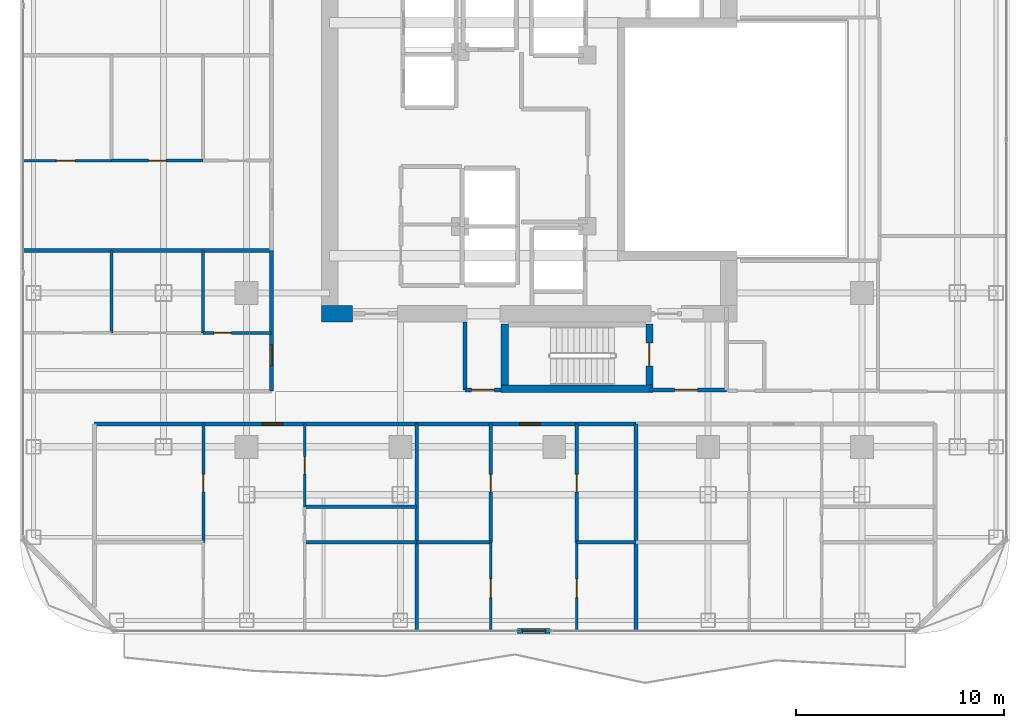
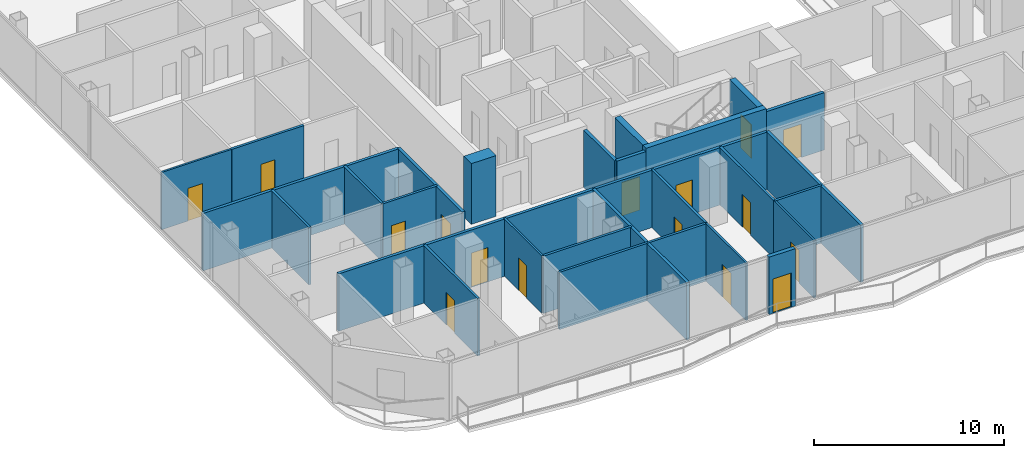
# One storey, part 19 of 26: 29 walls, 16 doors, 16 openings.
"""IFC4 building model written with IfcOpenShell, lengths in metres."""

from ifc_helpers import new_model, si_unit, direction, frame, frame_2d, origin, place, context, subcontext, project, spatial, rectangle, extrude, material, layer, layer_set, type_object, element, fill, save


model = new_model("IFC4")

# Units and contexts
model_context = context("Model", 3, precision=1e-05, world=origin(), true_north=direction((0.0, 1.0)))
body_context = subcontext(model_context, "Body", "Model", "MODEL_VIEW")
ifc_project = project(units=[si_unit("LENGTHUNIT", "METRE"), si_unit("AREAUNIT", "SQUARE_METRE"), si_unit("VOLUMEUNIT", "CUBIC_METRE"), si_unit("PLANEANGLEUNIT", "RADIAN"), si_unit("MASSUNIT", "GRAM", prefix="KILO")], contexts=[model_context])

# Site, building, storey
site_placement = place(None, origin())
site = spatial("IfcSite", under=ifc_project, at=site_placement, CompositionType="ELEMENT")
building_placement = place(site_placement, origin())
building = spatial("IfcBuilding", under=site, at=building_placement, Name="Khorvyn Point Tower", CompositionType="ELEMENT")
storey_placement = place(building_placement, frame((0.0, 0.0, 183.60009765625)))
storey = spatial("IfcBuildingStorey", under=building, at=storey_placement, Name="L45", CompositionType="ELEMENT", Elevation=183.60009765625)

# Wall, opening, door
ifc_material_1 = material(Name="Double acoustic gypsum on twin steel stud", Category="steel")
ifc_layer_1 = layer(ifc_material_1, 0.179931640625)
ifc_layer_set_1 = layer_set([ifc_layer_1], Name="Acoustic Double-Stud Apartment Demising Wall 180")
wall_type_1 = type_object("IfcWallType", Name="Acoustic Double-Stud Apartment Demising Wall 180", PredefinedType="PARTITIONING", material=ifc_layer_set_1)
wall_1_placement = place(storey_placement, frame((-22.1201171875, -13.699951171875, 0.0), z_axis=(0.0, 0.0, 1.0), x_axis=(1.0, 0.0, 0.0)))
wall_1 = element("IfcWall", 1, at=wall_1_placement, inside=storey, type_object=wall_type_1, Name="Wall", PredefinedType="PARTITIONING", context=body_context, shape_type="SweptSolid", body=[
    extrude(rectangle(XDim=15.502197265625, YDim=0.179931640625, at=frame_2d((7.7509765625, 0.0))), origin(), (0.0, 0.0, 1.0), 3.679931640625),
])
opening_1_placement = place(wall_1_placement, frame((8.058837890625, 0.0, 0.0)))
opening_1 = element("IfcOpeningElement", 2, at=opening_1_placement, cuts=wall_1, Name="Opening ID-AP60", PredefinedType="OPENING", context=body_context, shape_type="SweptSolid", body=[
    extrude(rectangle(XDim=1.0, YDim=2.199951171875, at=frame_2d((0.5, 1.10009765625))), frame((0.0, 0.099853515625, 0.0), z_axis=(0.0, -1.0, 0.0), x_axis=(1.0, 0.0, 0.0)), (0.0, 0.0, 1.0), 0.199951171875),
])
ifc_material_2 = material(Name="Engineered hardwood fire-rated leaf", Category="wood")
door_type_1 = type_object("IfcDoorType", Name="Acoustic Solid-Core Timber Apartment Entrance Door 1000x2200", OperationType="NOTDEFINED", PredefinedType="DOOR", material=ifc_material_2)
door_1_placement = place(opening_1_placement, origin())
door_1 = element("IfcDoor", 3, at=door_1_placement, inside=storey, type_object=door_type_1, Name="Door", OperationType="SINGLE_SWING_LEFT", OverallHeight=2.199951171875, OverallWidth=1.0, PredefinedType="DOOR", context=body_context, shape_type="SweptSolid", body=[
    extrude(rectangle(XDim=1.0, YDim=2.199951171875, at=frame_2d((0.5, 1.10009765625))), frame((0.0, 0.02490234375, 0.0), z_axis=(0.0, -1.0, 0.0), x_axis=(1.0, 0.0, 0.0)), (0.0, 0.0, 1.0), 0.050048828125),
])
fill(opening_1, door_1)

wall_2_placement = place(storey_placement, frame((-6.617919921875, -13.699951171875, 0.0), z_axis=(0.0, 0.0, 1.0), x_axis=(1.0, 0.0, 0.0)))
wall_2 = element("IfcWall", 4, at=wall_2_placement, inside=storey, type_object=wall_type_1, Name="Wall", PredefinedType="PARTITIONING", context=body_context, shape_type="SweptSolid", body=[
    extrude(rectangle(XDim=10.5478515625, YDim=0.179931640625, at=frame_2d((5.27392578125, 0.0))), origin(), (0.0, 0.0, 1.0), 3.679931640625),
])
opening_2_placement = place(wall_2_placement, frame((4.951416015625, 0.0, 0.0)))
opening_2 = element("IfcOpeningElement", 5, at=opening_2_placement, cuts=wall_2, Name="Opening ID-AP60", PredefinedType="OPENING", context=body_context, shape_type="SweptSolid", body=[
    extrude(rectangle(XDim=1.0, YDim=2.199951171875, at=frame_2d((0.5, 1.10009765625))), frame((0.0, 0.099853515625, 0.0), z_axis=(0.0, -1.0, 0.0), x_axis=(1.0, 0.0, 0.0)), (0.0, 0.0, 1.0), 0.199951171875),
])
door_2_placement = place(opening_2_placement, origin())
door_2 = element("IfcDoor", 6, at=door_2_placement, inside=storey, type_object=door_type_1, Name="Door", OperationType="SINGLE_SWING_LEFT", OverallHeight=2.199951171875, OverallWidth=1.0, PredefinedType="DOOR", context=body_context, shape_type="SweptSolid", body=[
    extrude(rectangle(XDim=1.0, YDim=2.199951171875, at=frame_2d((0.5, 1.10009765625))), frame((0.0, 0.02490234375, 0.0), z_axis=(0.0, -1.0, 0.0), x_axis=(1.0, 0.0, 0.0)), (0.0, 0.0, 1.0), 0.050048828125),
])
fill(opening_2, door_2)

wall_3_placement = place(storey_placement, frame((-13.60009765625, -12.1201171875, 0.0), z_axis=(0.0, 0.0, 1.0), x_axis=(0.0, 1.0, 0.0)))
wall_3 = element("IfcWall", 7, at=wall_3_placement, inside=storey, type_object=wall_type_1, Name="Wall", PredefinedType="PARTITIONING", context=body_context, shape_type="SweptSolid", body=[
    extrude(rectangle(XDim=6.77099609375, YDim=0.179931640625, at=frame_2d((3.385498046875, 0.0))), origin(), (0.0, 0.0, 1.0), 3.679931640625),
])
opening_3_placement = place(wall_3_placement, frame((1.215087890625, 0.0, 0.0)))
opening_3 = element("IfcOpeningElement", 8, at=opening_3_placement, cuts=wall_3, Name="Opening ID-AP60", PredefinedType="OPENING", context=body_context, shape_type="SweptSolid", body=[
    extrude(rectangle(XDim=1.0, YDim=2.199951171875, at=frame_2d((0.5, 1.10009765625))), frame((0.0, 0.099853515625, 0.0), z_axis=(0.0, -1.0, 0.0), x_axis=(1.0, 0.0, 0.0)), (0.0, 0.0, 1.0), 0.199951171875),
])
door_3_placement = place(opening_3_placement, origin())
door_3 = element("IfcDoor", 9, at=door_3_placement, inside=storey, type_object=door_type_1, Name="Door", OperationType="SINGLE_SWING_RIGHT", OverallHeight=2.199951171875, OverallWidth=1.0, PredefinedType="DOOR", context=body_context, shape_type="SweptSolid", body=[
    extrude(rectangle(XDim=1.0, YDim=2.199951171875, at=frame_2d((0.5, 1.10009765625))), frame((0.0, 0.02490234375, 0.0), z_axis=(0.0, -1.0, 0.0), x_axis=(1.0, 0.0, 0.0)), (0.0, 0.0, 1.0), 0.050048828125),
])
fill(opening_3, door_3)

# Walls
for number, where, z_axis, x_axis, name in (
    (10, (-6.617919921875, -23.6298828125, 0.0), (0.0, 0.0, 1.0), (0.0, 1.0, 0.0), "Wall"),
    (11, (3.929931640625, -23.6298828125, 0.0), (0.0, 0.0, 1.0), (0.0, 1.0, 0.0), "Wall"),
):
    element("IfcWall", number, at=place(storey_placement, frame(where, z_axis=z_axis, x_axis=x_axis)), inside=storey, type_object=wall_type_1, Name=name, PredefinedType="PARTITIONING", context=body_context, shape_type="SweptSolid", body=[
        extrude(rectangle(XDim=9.929931640625, YDim=0.179931640625, at=frame_2d((4.96484375, 0.0))), origin(), (0.0, 0.0, 1.0), 3.679931640625),
    ])
wall_4_placement = place(storey_placement, frame((-25.530029296875, -5.34912109375, 0.0), z_axis=(0.0, 0.0, 1.0), x_axis=(1.0, 0.0, 0.0)))
element("IfcWall", 12, at=wall_4_placement, inside=storey, type_object=wall_type_1, Name="Wall", PredefinedType="PARTITIONING", context=body_context, shape_type="SweptSolid", body=[
    extrude(rectangle(XDim=11.929931640625, YDim=0.179931640625, at=frame_2d((5.96484375, 0.0))), origin(), (0.0, 0.0, 1.0), 3.679931640625),
])

# Wall, opening, door
ifc_material_3 = material(Name="Pale anodised aluminium rainscreen on steel stud", Category="steel")
ifc_layer_2 = layer(ifc_material_3, 0.239990234375)
ifc_layer_set_2 = layer_set([ifc_layer_2], Name="Anodised Aluminium Insulated Corner Spandrel Wall 240")
wall_type_2 = type_object("IfcWallType", Name="Anodised Aluminium Insulated Corner Spandrel Wall 240", PredefinedType="SOLIDWALL", material=ifc_layer_set_2)
wall_5_placement = place(storey_placement, frame((-0.196044921875, -23.64990234375, 0.0), z_axis=(0.0, 0.0, 1.0), x_axis=(-1.0, 0.0, 0.0)))
wall_5 = element("IfcWall", 13, at=wall_5_placement, inside=storey, type_object=wall_type_2, Name="L45 South Outdoor Threshold Wall", PredefinedType="SOLIDWALL", context=body_context, shape_type="SweptSolid", body=[
    extrude(rectangle(XDim=1.579833984375, YDim=0.239990234375, at=frame_2d((0.7900390625, 0.0))), origin(), (0.0, 0.0, 1.0), 3.679931640625),
])
opening_4_placement = place(wall_5_placement, frame((0.239990234375, 0.0, 0.0)))
opening_4 = element("IfcOpeningElement", 14, at=opening_4_placement, cuts=wall_5, Name="Opening BD-1122", PredefinedType="OPENING", context=body_context, shape_type="SweptSolid", body=[
    extrude(rectangle(XDim=1.10009765625, YDim=2.199951171875, at=frame_2d((0.550048828125, 1.10009765625))), frame((0.0, 0.1298828125, 0.0), z_axis=(0.0, -1.0, 0.0), x_axis=(1.0, 0.0, 0.0)), (0.0, 0.0, 1.0), 0.260009765625),
])
ifc_material_4 = material(Name="Anodised aluminium 6063-T6 and laminated Low-E glass", Category="aluminium")
door_type_2 = type_object("IfcDoorType", Name="Glazed Balcony and Terrace Threshold Door 1100x2200", OperationType="NOTDEFINED", PredefinedType="DOOR", material=ifc_material_4)
door_4_placement = place(opening_4_placement, origin())
door_4 = element("IfcDoor", 15, at=door_4_placement, inside=storey, type_object=door_type_2, Name="L45 South Glazed Balcony Outdoor Door", OperationType="SINGLE_SWING_LEFT", OverallHeight=2.199951171875, OverallWidth=1.10009765625, PredefinedType="DOOR", context=body_context, shape_type="SweptSolid", body=[
    extrude(rectangle(XDim=1.10009765625, YDim=2.199951171875, at=frame_2d((0.550048828125, 1.10009765625))), frame((0.0, 0.02490234375, 0.0), z_axis=(0.0, -1.0, 0.0), x_axis=(1.0, 0.0, 0.0)), (0.0, 0.0, 1.0), 0.050048828125),
])
fill(opening_4, door_4)

ifc_material_5 = material(Name="Concrete C40/50", Category="concrete")
ifc_layer_3 = layer(ifc_material_5, 0.199951171875)
ifc_layer_set_3 = layer_set([ifc_layer_3], Name="Concrete C40/50 Fire-Lobby Compartment Wall 200")
wall_type_3 = type_object("IfcWallType", Name="Concrete C40/50 Fire-Lobby Compartment Wall 200", PredefinedType="SOLIDWALL", material=ifc_layer_set_3)
wall_6_placement = place(storey_placement, frame((4.580078125, -12.06005859375, 0.0), z_axis=(0.0, 0.0, 1.0), x_axis=(1.0, 0.0, 0.0)))
wall_6 = element("IfcWall", 16, at=wall_6_placement, inside=storey, type_object=wall_type_3, Name="Wall", PredefinedType="SOLIDWALL", context=body_context, shape_type="SweptSolid", body=[
    extrude(rectangle(XDim=3.699951171875, YDim=0.199951171875, at=frame_2d((1.85009765625, 0.0))), origin(), (0.0, 0.0, 1.0), 3.679931640625),
])
opening_5_placement = place(wall_6_placement, frame((1.21240234375, 0.0, 0.0)))
opening_5 = element("IfcOpeningElement", 17, at=opening_5_placement, cuts=wall_6, Name="Opening ID-FL90", PredefinedType="OPENING", context=body_context, shape_type="SweptSolid", body=[
    extrude(rectangle(XDim=1.10009765625, YDim=2.14990234375, at=frame_2d((0.550048828125, 1.074951171875))), frame((0.0, 0.10986328125, 0.0), z_axis=(0.0, -1.0, 0.0), x_axis=(1.0, 0.0, 0.0)), (0.0, 0.0, 1.0), 0.219970703125),
])
ifc_material_6 = material(Name="Galvanised powder-coated steel", Category="steel")
door_type_3 = type_object("IfcDoorType", Name="Fire-Rated Steel Lobby and Stair Door 1100x2150", OperationType="NOTDEFINED", PredefinedType="DOOR", material=ifc_material_6)
door_5_placement = place(opening_5_placement, origin())
door_5 = element("IfcDoor", 18, at=door_5_placement, inside=storey, type_object=door_type_3, Name="Door", OperationType="SINGLE_SWING_LEFT", OverallHeight=2.14990234375, OverallWidth=1.10009765625, PredefinedType="DOOR", context=body_context, shape_type="SweptSolid", body=[
    extrude(rectangle(XDim=1.10009765625, YDim=2.14990234375, at=frame_2d((0.550048828125, 1.074951171875))), frame((0.0, 0.02490234375, 0.0), z_axis=(0.0, -1.0, 0.0), x_axis=(1.0, 0.0, 0.0)), (0.0, 0.0, 1.0), 0.050048828125),
])
fill(opening_5, door_5)

wall_7_placement = place(storey_placement, frame((-4.300048828125, -12.06005859375, 0.0), z_axis=(0.0, 0.0, 1.0), x_axis=(1.0, 0.0, 0.0)))
wall_7 = element("IfcWall", 19, at=wall_7_placement, inside=storey, type_object=wall_type_3, Name="Wall", PredefinedType="SOLIDWALL", context=body_context, shape_type="SweptSolid", body=[
    extrude(rectangle(XDim=1.75, YDim=0.199951171875, at=frame_2d((0.875, 0.0))), origin(), (0.0, 0.0, 1.0), 3.679931640625),
])
opening_6_placement = place(wall_7_placement, frame((0.324951171875, 0.0, 0.0)))
opening_6 = element("IfcOpeningElement", 20, at=opening_6_placement, cuts=wall_7, Name="Opening ID-FL90", PredefinedType="OPENING", context=body_context, shape_type="SweptSolid", body=[
    extrude(rectangle(XDim=1.10009765625, YDim=2.14990234375, at=frame_2d((0.550048828125, 1.074951171875))), frame((0.0, 0.10986328125, 0.0), z_axis=(0.0, -1.0, 0.0), x_axis=(1.0, 0.0, 0.0)), (0.0, 0.0, 1.0), 0.219970703125),
])
door_6_placement = place(opening_6_placement, origin())
door_6 = element("IfcDoor", 21, at=door_6_placement, inside=storey, type_object=door_type_3, Name="Door", OperationType="SINGLE_SWING_RIGHT", OverallHeight=2.14990234375, OverallWidth=1.10009765625, PredefinedType="DOOR", context=body_context, shape_type="SweptSolid", body=[
    extrude(rectangle(XDim=1.10009765625, YDim=2.14990234375, at=frame_2d((0.550048828125, 1.074951171875))), frame((0.0, 0.02490234375, 0.0), z_axis=(0.0, -1.0, 0.0), x_axis=(1.0, 0.0, 0.0)), (0.0, 0.0, 1.0), 0.050048828125),
])
fill(opening_6, door_6)

# Walls
wall_8_placement = place(storey_placement, frame((-4.300048828125, -12.06005859375, 0.0), z_axis=(0.0, 0.0, 1.0), x_axis=(0.0, 1.0, 0.0)))
element("IfcWall", 22, at=wall_8_placement, inside=storey, type_object=wall_type_3, Name="Wall", PredefinedType="SOLIDWALL", context=body_context, shape_type="SweptSolid", body=[
    extrude(rectangle(XDim=3.260009765625, YDim=0.199951171875, at=frame_2d((1.6298828125, 0.0))), origin(), (0.0, 0.0, 1.0), 3.679931640625),
])
ifc_layer_4 = layer(ifc_material_5, 0.35009765625)
ifc_layer_set_4 = layer_set([ifc_layer_4], Name="Concrete C40/50 Stair Shaft Structural Wall 350")
wall_type_4 = type_object("IfcWallType", Name="Concrete C40/50 Stair Shaft Structural Wall 350", PredefinedType="SHEAR", material=ifc_layer_set_4)
wall_9_placement = place(storey_placement, frame((-2.554931640625, -12.0, 0.0), z_axis=(0.0, 0.0, 1.0), x_axis=(1.0, 0.0, 0.0)))
element("IfcWall", 23, at=wall_9_placement, inside=storey, type_object=wall_type_4, Name="L45 ST-01 South Shaft Wall", PredefinedType="SHEAR", context=body_context, shape_type="SweptSolid", body=[
    extrude(rectangle(XDim=7.309814453125, YDim=0.35009765625, at=frame_2d((3.65478515625, 0.0))), origin(), (0.0, 0.0, 1.0), 3.89990234375),
])
wall_10_placement = place(storey_placement, frame((-2.3798828125, -11.824951171875, 0.0), z_axis=(0.0, 0.0, 1.0), x_axis=(0.0, 1.0, 0.0)))
element("IfcWall", 24, at=wall_10_placement, inside=storey, type_object=wall_type_4, Name="L45 ST-01 West Shaft Wall", PredefinedType="SHEAR", context=body_context, shape_type="SweptSolid", body=[
    extrude(rectangle(XDim=2.925048828125, YDim=0.35009765625, at=frame_2d((1.46240234375, 0.0))), origin(), (0.0, 0.0, 1.0), 3.89990234375),
])

# Wall, opening, door
wall_11_placement = place(storey_placement, frame((4.580078125, -8.89990234375, 0.0), z_axis=(0.0, 0.0, 1.0), x_axis=(0.0, -1.0, 0.0)))
wall_11 = element("IfcWall", 25, at=wall_11_placement, inside=storey, type_object=wall_type_4, Name="L45 ST-01 East Landing Door Wall", PredefinedType="SHEAR", context=body_context, shape_type="SweptSolid", body=[
    extrude(rectangle(XDim=2.925048828125, YDim=0.35009765625, at=frame_2d((1.46240234375, 0.0))), origin(), (0.0, 0.0, 1.0), 3.89990234375),
])
opening_7_placement = place(wall_11_placement, frame((0.91259765625, 0.0, 0.0)))
opening_7 = element("IfcOpeningElement", 26, at=opening_7_placement, cuts=wall_11, Name="Opening ID-FL90", PredefinedType="OPENING", context=body_context, shape_type="SweptSolid", body=[
    extrude(rectangle(XDim=1.10009765625, YDim=2.14990234375, at=frame_2d((0.550048828125, 1.074951171875))), frame((0.0, 0.18505859375, 0.0), z_axis=(0.0, -1.0, 0.0), x_axis=(1.0, 0.0, 0.0)), (0.0, 0.0, 1.0), 0.3701171875),
])
door_7_placement = place(opening_7_placement, origin())
door_7 = element("IfcDoor", 27, at=door_7_placement, inside=storey, type_object=door_type_3, Name="L45 ST-01 Smokeproof Landing Door", OperationType="SINGLE_SWING_LEFT", OverallHeight=2.14990234375, OverallWidth=1.10009765625, PredefinedType="DOOR", context=body_context, shape_type="SweptSolid", body=[
    extrude(rectangle(XDim=1.10009765625, YDim=2.14990234375, at=frame_2d((0.550048828125, 1.074951171875))), frame((0.0, 0.02490234375, 0.0), z_axis=(0.0, -1.0, 0.0), x_axis=(1.0, 0.0, 0.0)), (0.0, 0.0, 1.0), 0.050048828125),
])
fill(opening_7, door_7)

# Wall
ifc_material_7 = material(Name="Concrete C45/55", Category="concrete")
ifc_layer_5 = layer(ifc_material_7, 0.800048828125)
ifc_layer_set_5 = layer_set([ifc_layer_5], Name="Concrete C45/55 Core Shear Wall 800")
wall_type_5 = type_object("IfcWallType", Name="Concrete C45/55 Core Shear Wall 800", PredefinedType="SHEAR", material=ifc_layer_set_5)
wall_12_placement = place(storey_placement, frame((-11.199951171875, -8.39990234375, 0.0), z_axis=(0.0, 0.0, 1.0), x_axis=(1.0, 0.0, 0.0)))
element("IfcWall", 28, at=wall_12_placement, inside=storey, type_object=wall_type_5, Name="Wall", PredefinedType="SHEAR", context=body_context, shape_type="SweptSolid", body=[
    extrude(rectangle(XDim=1.5, YDim=0.800048828125, at=frame_2d((0.75, 0.0))), origin(), (0.0, 0.0, 1.0), 3.89990234375),
])

# Wall, opening, door
ifc_material_8 = material(Name="Gypsum plasterboard on steel stud", Category="steel")
ifc_layer_6 = layer(ifc_material_8, 0.1201171875)
ifc_layer_set_6 = layer_set([ifc_layer_6], Name="Gypsum Acoustic Stud Room Partition Wall 120")
wall_type_6 = type_object("IfcWallType", Name="Gypsum Acoustic Stud Room Partition Wall 120", PredefinedType="PARTITIONING", material=ifc_layer_set_6)
wall_13_placement = place(storey_placement, frame((-12.009033203125, -17.68310546875, 0.0), z_axis=(0.0, 0.0, 1.0), x_axis=(0.0, 1.0, 0.0)))
wall_13 = element("IfcWall", 29, at=wall_13_placement, inside=storey, type_object=wall_type_6, Name="Wall", PredefinedType="PARTITIONING", context=body_context, shape_type="SweptSolid", body=[
    extrude(rectangle(XDim=3.983154296875, YDim=0.1201171875, at=frame_2d((1.99169921875, 0.0))), origin(), (0.0, 0.0, 1.0), 3.679931640625),
])
opening_8_placement = place(wall_13_placement, frame((1.56640625, 0.0, 0.0)))
opening_8 = element("IfcOpeningElement", 30, at=opening_8_placement, cuts=wall_13, Name="Opening ID-WC85", PredefinedType="OPENING", context=body_context, shape_type="SweptSolid", body=[
    extrude(rectangle(XDim=0.85009765625, YDim=2.10009765625, at=frame_2d((0.425048828125, 1.050048828125))), frame((0.0, 0.070068359375, 0.0), z_axis=(0.0, -1.0, 0.0), x_axis=(1.0, 0.0, 0.0)), (0.0, 0.0, 1.0), 0.14013671875),
])
ifc_material_9 = material(Name="High-pressure laminate on moisture-resistant core", Category="wood")
door_type_4 = type_object("IfcDoorType", Name="Moisture-Resistant Accessible Washroom Door 850x2100", OperationType="NOTDEFINED", PredefinedType="DOOR", material=ifc_material_9)
door_8_placement = place(opening_8_placement, origin())
door_8 = element("IfcDoor", 31, at=door_8_placement, inside=storey, type_object=door_type_4, Name="Door", OperationType="SINGLE_SWING_LEFT", OverallHeight=2.10009765625, OverallWidth=0.85009765625, PredefinedType="DOOR", context=body_context, shape_type="SweptSolid", body=[
    extrude(rectangle(XDim=0.85009765625, YDim=2.10009765625, at=frame_2d((0.425048828125, 1.050048828125))), frame((0.0, 0.02490234375, 0.0), z_axis=(0.0, -1.0, 0.0), x_axis=(1.0, 0.0, 0.0)), (0.0, 0.0, 1.0), 0.050048828125),
])
fill(opening_8, door_8)

wall_14_placement = place(storey_placement, frame((-3.052978515625, -23.6298828125, 0.0), z_axis=(0.0, 0.0, 1.0), x_axis=(0.0, 1.0, 0.0)))
wall_14 = element("IfcWall", 32, at=wall_14_placement, inside=storey, type_object=wall_type_6, Name="Wall", PredefinedType="PARTITIONING", context=body_context, shape_type="SweptSolid", body=[
    extrude(rectangle(XDim=4.239990234375, YDim=0.1201171875, at=frame_2d((2.1201171875, 0.0))), origin(), (0.0, 0.0, 1.0), 3.679931640625),
])
opening_9_placement = place(wall_14_placement, frame((1.581298828125, 0.0, 0.0)))
opening_9 = element("IfcOpeningElement", 33, at=opening_9_placement, cuts=wall_14, Name="Opening ID-RM90", PredefinedType="OPENING", context=body_context, shape_type="SweptSolid", body=[
    extrude(rectangle(XDim=0.89990234375, YDim=2.10009765625, at=frame_2d((0.449951171875, 1.050048828125))), frame((0.0, 0.070068359375, 0.0), z_axis=(0.0, -1.0, 0.0), x_axis=(1.0, 0.0, 0.0)), (0.0, 0.0, 1.0), 0.14013671875),
])
ifc_material_10 = material(Name="Engineered oak veneer timber", Category="wood")
door_type_5 = type_object("IfcDoorType", Name="Flush Engineered Timber Room Door 900x2100", OperationType="NOTDEFINED", PredefinedType="DOOR", material=ifc_material_10)
door_9_placement = place(opening_9_placement, origin())
door_9 = element("IfcDoor", 34, at=door_9_placement, inside=storey, type_object=door_type_5, Name="Door", OperationType="SINGLE_SWING_LEFT", OverallHeight=2.10009765625, OverallWidth=0.89990234375, PredefinedType="DOOR", context=body_context, shape_type="SweptSolid", body=[
    extrude(rectangle(XDim=0.89990234375, YDim=2.10009765625, at=frame_2d((0.449951171875, 1.050048828125))), frame((0.0, 0.02490234375, 0.0), z_axis=(0.0, -1.0, 0.0), x_axis=(1.0, 0.0, 0.0)), (0.0, 0.0, 1.0), 0.050048828125),
])
fill(opening_9, door_9)

wall_15_placement = place(storey_placement, frame((1.080078125, -23.6298828125, 0.0), z_axis=(0.0, 0.0, 1.0), x_axis=(0.0, 1.0, 0.0)))
wall_15 = element("IfcWall", 35, at=wall_15_placement, inside=storey, type_object=wall_type_6, Name="Wall", PredefinedType="PARTITIONING", context=body_context, shape_type="SweptSolid", body=[
    extrude(rectangle(XDim=4.239990234375, YDim=0.1201171875, at=frame_2d((2.1201171875, 0.0))), origin(), (0.0, 0.0, 1.0), 3.679931640625),
])
opening_10_placement = place(wall_15_placement, frame((1.581298828125, 0.0, 0.0)))
opening_10 = element("IfcOpeningElement", 36, at=opening_10_placement, cuts=wall_15, Name="Opening ID-RM90", PredefinedType="OPENING", context=body_context, shape_type="SweptSolid", body=[
    extrude(rectangle(XDim=0.89990234375, YDim=2.10009765625, at=frame_2d((0.449951171875, 1.050048828125))), frame((0.0, 0.070068359375, 0.0), z_axis=(0.0, -1.0, 0.0), x_axis=(1.0, 0.0, 0.0)), (0.0, 0.0, 1.0), 0.14013671875),
])
door_10_placement = place(opening_10_placement, origin())
door_10 = element("IfcDoor", 37, at=door_10_placement, inside=storey, type_object=door_type_5, Name="Door", OperationType="SINGLE_SWING_LEFT", OverallHeight=2.10009765625, OverallWidth=0.89990234375, PredefinedType="DOOR", context=body_context, shape_type="SweptSolid", body=[
    extrude(rectangle(XDim=0.89990234375, YDim=2.10009765625, at=frame_2d((0.449951171875, 1.050048828125))), frame((0.0, 0.02490234375, 0.0), z_axis=(0.0, -1.0, 0.0), x_axis=(1.0, 0.0, 0.0)), (0.0, 0.0, 1.0), 0.050048828125),
])
fill(opening_10, door_10)

wall_16_placement = place(storey_placement, frame((-25.530029296875, -1.030029296875, 0.0), z_axis=(0.0, 0.0, 1.0), x_axis=(1.0, 0.0, 0.0)))
wall_16 = element("IfcWall", 38, at=wall_16_placement, inside=storey, type_object=wall_type_6, Name="Wall", PredefinedType="PARTITIONING", context=body_context, shape_type="SweptSolid", body=[
    extrude(rectangle(XDim=4.239990234375, YDim=0.1201171875, at=frame_2d((2.1201171875, 0.0))), origin(), (0.0, 0.0, 1.0), 3.679931640625),
])
opening_11_placement = place(wall_16_placement, frame((1.581298828125, 0.0, 0.0)))
opening_11 = element("IfcOpeningElement", 39, at=opening_11_placement, cuts=wall_16, Name="Opening ID-RM90", PredefinedType="OPENING", context=body_context, shape_type="SweptSolid", body=[
    extrude(rectangle(XDim=0.89990234375, YDim=2.10009765625, at=frame_2d((0.449951171875, 1.050048828125))), frame((0.0, 0.070068359375, 0.0), z_axis=(0.0, -1.0, 0.0), x_axis=(1.0, 0.0, 0.0)), (0.0, 0.0, 1.0), 0.14013671875),
])
door_11_placement = place(opening_11_placement, origin())
door_11 = element("IfcDoor", 40, at=door_11_placement, inside=storey, type_object=door_type_5, Name="Door", OperationType="SINGLE_SWING_LEFT", OverallHeight=2.10009765625, OverallWidth=0.89990234375, PredefinedType="DOOR", context=body_context, shape_type="SweptSolid", body=[
    extrude(rectangle(XDim=0.89990234375, YDim=2.10009765625, at=frame_2d((0.449951171875, 1.050048828125))), frame((0.0, 0.02490234375, 0.0), z_axis=(0.0, -1.0, 0.0), x_axis=(1.0, 0.0, 0.0)), (0.0, 0.0, 1.0), 0.050048828125),
])
fill(opening_11, door_11)

ifc_material_11 = material(Name="Moisture-resistant gypsum and cement board", Category="gypsum")
ifc_layer_7 = layer(ifc_material_11, 0.14990234375)
ifc_layer_set_7 = layer_set([ifc_layer_7], Name="Moisture-Resistant Wet-Room Partition Wall 150")
wall_type_7 = type_object("IfcWallType", Name="Moisture-Resistant Wet-Room Partition Wall 150", PredefinedType="PARTITIONING", material=ifc_layer_set_7)
wall_17_placement = place(storey_placement, frame((-16.8759765625, -19.389892578125, 0.0), z_axis=(0.0, 0.0, 1.0), x_axis=(0.0, 1.0, 0.0)))
wall_17 = element("IfcWall", 41, at=wall_17_placement, inside=storey, type_object=wall_type_7, Name="Wall", PredefinedType="PARTITIONING", context=body_context, shape_type="SweptSolid", body=[
    extrude(rectangle(XDim=5.68994140625, YDim=0.14990234375, at=frame_2d((2.844970703125, 0.0))), origin(), (0.0, 0.0, 1.0), 3.679931640625),
])
opening_12_placement = place(wall_17_placement, frame((2.419921875, 0.0, 0.0)))
opening_12 = element("IfcOpeningElement", 42, at=opening_12_placement, cuts=wall_17, Name="Opening ID-WC85", PredefinedType="OPENING", context=body_context, shape_type="SweptSolid", body=[
    extrude(rectangle(XDim=0.85009765625, YDim=2.10009765625, at=frame_2d((0.425048828125, 1.050048828125))), frame((0.0, 0.0849609375, 0.0), z_axis=(0.0, -1.0, 0.0), x_axis=(1.0, 0.0, 0.0)), (0.0, 0.0, 1.0), 0.169921875),
])
door_12_placement = place(opening_12_placement, origin())
door_12 = element("IfcDoor", 43, at=door_12_placement, inside=storey, type_object=door_type_4, Name="Door", OperationType="SINGLE_SWING_RIGHT", OverallHeight=2.10009765625, OverallWidth=0.85009765625, PredefinedType="DOOR", context=body_context, shape_type="SweptSolid", body=[
    extrude(rectangle(XDim=0.85009765625, YDim=2.10009765625, at=frame_2d((0.425048828125, 1.050048828125))), frame((0.0, 0.02490234375, 0.0), z_axis=(0.0, -1.0, 0.0), x_axis=(1.0, 0.0, 0.0)), (0.0, 0.0, 1.0), 0.050048828125),
])
fill(opening_12, door_12)

wall_18_placement = place(storey_placement, frame((-3.052978515625, -19.389892578125, 0.0), z_axis=(0.0, 0.0, 1.0), x_axis=(0.0, 1.0, 0.0)))
wall_18 = element("IfcWall", 44, at=wall_18_placement, inside=storey, type_object=wall_type_7, Name="Wall", PredefinedType="PARTITIONING", context=body_context, shape_type="SweptSolid", body=[
    extrude(rectangle(XDim=5.68994140625, YDim=0.14990234375, at=frame_2d((2.844970703125, 0.0))), origin(), (0.0, 0.0, 1.0), 3.679931640625),
])
opening_13_placement = place(wall_18_placement, frame((2.419921875, 0.0, 0.0)))
opening_13 = element("IfcOpeningElement", 45, at=opening_13_placement, cuts=wall_18, Name="Opening ID-WC85", PredefinedType="OPENING", context=body_context, shape_type="SweptSolid", body=[
    extrude(rectangle(XDim=0.85009765625, YDim=2.10009765625, at=frame_2d((0.425048828125, 1.050048828125))), frame((0.0, 0.0849609375, 0.0), z_axis=(0.0, -1.0, 0.0), x_axis=(1.0, 0.0, 0.0)), (0.0, 0.0, 1.0), 0.169921875),
])
door_13_placement = place(opening_13_placement, origin())
door_13 = element("IfcDoor", 46, at=door_13_placement, inside=storey, type_object=door_type_4, Name="Door", OperationType="SINGLE_SWING_RIGHT", OverallHeight=2.10009765625, OverallWidth=0.85009765625, PredefinedType="DOOR", context=body_context, shape_type="SweptSolid", body=[
    extrude(rectangle(XDim=0.85009765625, YDim=2.10009765625, at=frame_2d((0.425048828125, 1.050048828125))), frame((0.0, 0.02490234375, 0.0), z_axis=(0.0, -1.0, 0.0), x_axis=(1.0, 0.0, 0.0)), (0.0, 0.0, 1.0), 0.050048828125),
])
fill(opening_13, door_13)

wall_19_placement = place(storey_placement, frame((1.080078125, -19.389892578125, 0.0), z_axis=(0.0, 0.0, 1.0), x_axis=(0.0, 1.0, 0.0)))
wall_19 = element("IfcWall", 47, at=wall_19_placement, inside=storey, type_object=wall_type_7, Name="Wall", PredefinedType="PARTITIONING", context=body_context, shape_type="SweptSolid", body=[
    extrude(rectangle(XDim=5.68994140625, YDim=0.14990234375, at=frame_2d((2.844970703125, 0.0))), origin(), (0.0, 0.0, 1.0), 3.679931640625),
])
opening_14_placement = place(wall_19_placement, frame((2.419921875, 0.0, 0.0)))
opening_14 = element("IfcOpeningElement", 48, at=opening_14_placement, cuts=wall_19, Name="Opening ID-WC85", PredefinedType="OPENING", context=body_context, shape_type="SweptSolid", body=[
    extrude(rectangle(XDim=0.85009765625, YDim=2.10009765625, at=frame_2d((0.425048828125, 1.050048828125))), frame((0.0, 0.0849609375, 0.0), z_axis=(0.0, -1.0, 0.0), x_axis=(1.0, 0.0, 0.0)), (0.0, 0.0, 1.0), 0.169921875),
])
door_14_placement = place(opening_14_placement, origin())
door_14 = element("IfcDoor", 49, at=door_14_placement, inside=storey, type_object=door_type_4, Name="Door", OperationType="SINGLE_SWING_RIGHT", OverallHeight=2.10009765625, OverallWidth=0.85009765625, PredefinedType="DOOR", context=body_context, shape_type="SweptSolid", body=[
    extrude(rectangle(XDim=0.85009765625, YDim=2.10009765625, at=frame_2d((0.425048828125, 1.050048828125))), frame((0.0, 0.02490234375, 0.0), z_axis=(0.0, -1.0, 0.0), x_axis=(1.0, 0.0, 0.0)), (0.0, 0.0, 1.0), 0.050048828125),
])
fill(opening_14, door_14)

wall_20_placement = place(storey_placement, frame((-16.89306640625, -9.320068359375, 0.0), z_axis=(0.0, 0.0, 1.0), x_axis=(1.0, 0.0, 0.0)))
wall_20 = element("IfcWall", 50, at=wall_20_placement, inside=storey, type_object=wall_type_7, Name="Wall", PredefinedType="PARTITIONING", context=body_context, shape_type="SweptSolid", body=[
    extrude(rectangle(XDim=3.29296875, YDim=0.14990234375, at=frame_2d((1.646484375, 0.0))), origin(), (0.0, 0.0, 1.0), 3.679931640625),
])
opening_15_placement = place(wall_20_placement, frame((0.513916015625, 0.0, 0.0)))
opening_15 = element("IfcOpeningElement", 51, at=opening_15_placement, cuts=wall_20, Name="Opening ID-WC85", PredefinedType="OPENING", context=body_context, shape_type="SweptSolid", body=[
    extrude(rectangle(XDim=0.85009765625, YDim=2.10009765625, at=frame_2d((0.425048828125, 1.050048828125))), frame((0.0, 0.0849609375, 0.0), z_axis=(0.0, -1.0, 0.0), x_axis=(1.0, 0.0, 0.0)), (0.0, 0.0, 1.0), 0.169921875),
])
door_15_placement = place(opening_15_placement, origin())
door_15 = element("IfcDoor", 52, at=door_15_placement, inside=storey, type_object=door_type_4, Name="Door", OperationType="SINGLE_SWING_RIGHT", OverallHeight=2.10009765625, OverallWidth=0.85009765625, PredefinedType="DOOR", context=body_context, shape_type="SweptSolid", body=[
    extrude(rectangle(XDim=0.85009765625, YDim=2.10009765625, at=frame_2d((0.425048828125, 1.050048828125))), frame((0.0, 0.02490234375, 0.0), z_axis=(0.0, -1.0, 0.0), x_axis=(1.0, 0.0, 0.0)), (0.0, 0.0, 1.0), 0.050048828125),
])
fill(opening_15, door_15)

wall_21_placement = place(storey_placement, frame((-21.2900390625, -1.030029296875, 0.0), z_axis=(0.0, 0.0, 1.0), x_axis=(1.0, 0.0, 0.0)))
wall_21 = element("IfcWall", 53, at=wall_21_placement, inside=storey, type_object=wall_type_7, Name="Wall", PredefinedType="PARTITIONING", context=body_context, shape_type="SweptSolid", body=[
    extrude(rectangle(XDim=4.39697265625, YDim=0.14990234375, at=frame_2d((2.198486328125, 0.0))), origin(), (0.0, 0.0, 1.0), 3.679931640625),
])
opening_16_placement = place(wall_21_placement, frame((1.7734375, 0.0, 0.0)))
opening_16 = element("IfcOpeningElement", 54, at=opening_16_placement, cuts=wall_21, Name="Opening ID-WC85", PredefinedType="OPENING", context=body_context, shape_type="SweptSolid", body=[
    extrude(rectangle(XDim=0.85009765625, YDim=2.10009765625, at=frame_2d((0.425048828125, 1.050048828125))), frame((0.0, 0.0849609375, 0.0), z_axis=(0.0, -1.0, 0.0), x_axis=(1.0, 0.0, 0.0)), (0.0, 0.0, 1.0), 0.169921875),
])
door_16_placement = place(opening_16_placement, origin())
door_16 = element("IfcDoor", 55, at=door_16_placement, inside=storey, type_object=door_type_4, Name="Door", OperationType="SINGLE_SWING_LEFT", OverallHeight=2.10009765625, OverallWidth=0.85009765625, PredefinedType="DOOR", context=body_context, shape_type="SweptSolid", body=[
    extrude(rectangle(XDim=0.85009765625, YDim=2.10009765625, at=frame_2d((0.425048828125, 1.050048828125))), frame((0.0, 0.02490234375, 0.0), z_axis=(0.0, -1.0, 0.0), x_axis=(1.0, 0.0, 0.0)), (0.0, 0.0, 1.0), 0.050048828125),
])
fill(opening_16, door_16)

# Walls
for number, where, z_axis, x_axis, name in (
    (56, (-12.009033203125, -17.68310546875, 0.0), (0.0, 0.0, 1.0), (1.0, 0.0, 0.0), "Wall"),
    (57, (-12.009033203125, -19.389892578125, 0.0), (0.0, 0.0, 1.0), (1.0, 0.0, 0.0), "Wall"),
):
    element("IfcWall", number, at=place(storey_placement, frame(where, z_axis=z_axis, x_axis=x_axis)), inside=storey, type_object=wall_type_7, Name=name, PredefinedType="PARTITIONING", context=body_context, shape_type="SweptSolid", body=[
        extrude(rectangle(XDim=5.39111328125, YDim=0.14990234375, at=frame_2d((2.695556640625, 0.0))), origin(), (0.0, 0.0, 1.0), 3.679931640625),
    ])
wall_22_placement = place(storey_placement, frame((-6.617919921875, -19.389892578125, 0.0), z_axis=(0.0, 0.0, 1.0), x_axis=(1.0, 0.0, 0.0)))
element("IfcWall", 58, at=wall_22_placement, inside=storey, type_object=wall_type_7, Name="Wall", PredefinedType="PARTITIONING", context=body_context, shape_type="SweptSolid", body=[
    extrude(rectangle(XDim=3.56494140625, YDim=0.14990234375, at=frame_2d((1.782470703125, 0.0))), origin(), (0.0, 0.0, 1.0), 3.679931640625),
])
wall_23_placement = place(storey_placement, frame((1.080078125, -19.389892578125, 0.0), z_axis=(0.0, 0.0, 1.0), x_axis=(1.0, 0.0, 0.0)))
element("IfcWall", 59, at=wall_23_placement, inside=storey, type_object=wall_type_7, Name="Wall", PredefinedType="PARTITIONING", context=body_context, shape_type="SweptSolid", body=[
    extrude(rectangle(XDim=2.849853515625, YDim=0.14990234375, at=frame_2d((1.4248046875, 0.0))), origin(), (0.0, 0.0, 1.0), 3.679931640625),
])
for number, where, z_axis, x_axis, name in (
    (60, (-16.89306640625, -9.320068359375, 0.0), (0.0, 0.0, 1.0), (0.0, 1.0, 0.0), "Wall"),
    (61, (-21.2900390625, -9.320068359375, 0.0), (0.0, 0.0, 1.0), (0.0, 1.0, 0.0), "Wall"),
):
    element("IfcWall", number, at=place(storey_placement, frame(where, z_axis=z_axis, x_axis=x_axis)), inside=storey, type_object=wall_type_7, Name=name, PredefinedType="PARTITIONING", context=body_context, shape_type="SweptSolid", body=[
        extrude(rectangle(XDim=3.970947265625, YDim=0.14990234375, at=frame_2d((1.9853515625, 0.0))), origin(), (0.0, 0.0, 1.0), 3.679931640625),
    ])

save(model, "model.ifc")
